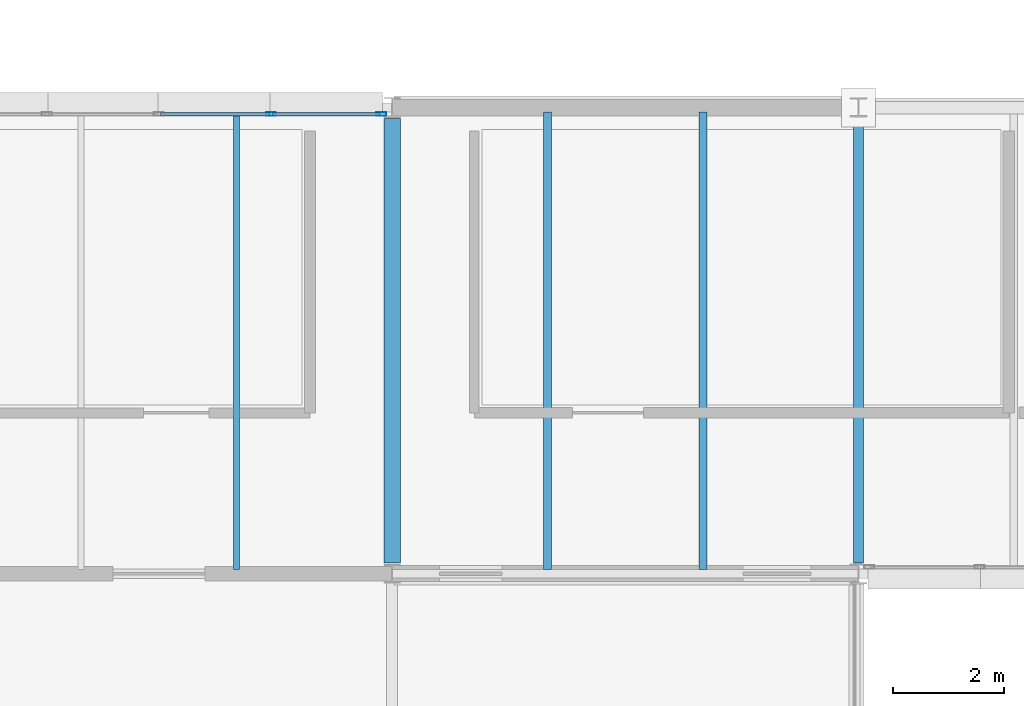
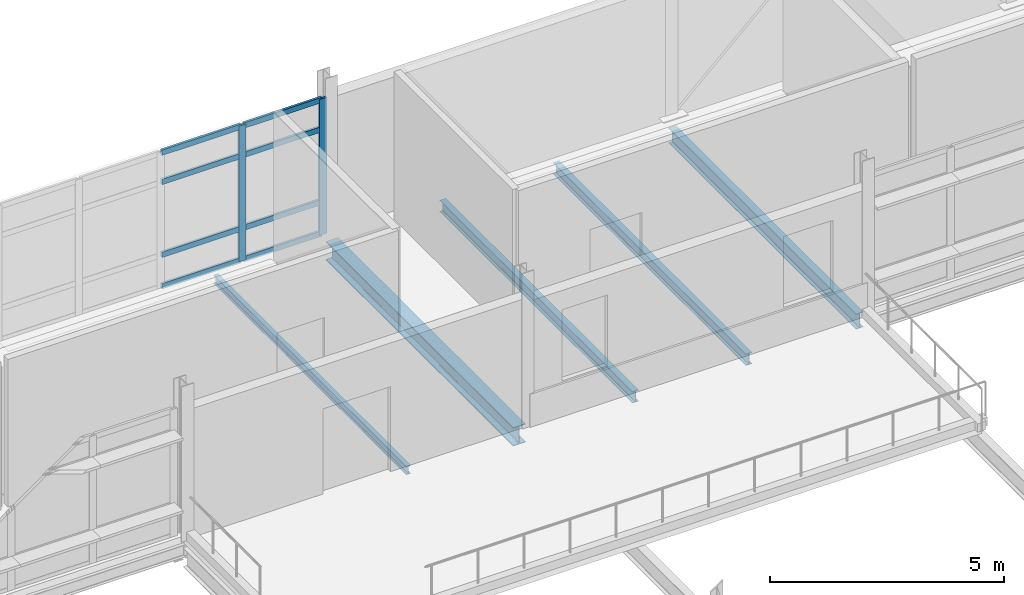
# One storey, part 31 of 57: 10 members, 5 beams, 1 element without a shape of its own.
"""IFC4 building model written with IfcOpenShell, lengths in metres."""

from ifc_helpers import new_model, si_unit, direction, frame, origin, origin_2d, place, context, subcontext, project, spatial, hollow_rectangle, i_section, extrude, material, material_profile, profile_set, type_object, element, aggregate, save


model = new_model("IFC4")

# Units and contexts
model_context = context("Model", 3, precision=1e-05, world=origin(), true_north=direction((0.0, 1.0)))
body_context = subcontext(model_context, "Body", "Model", "MODEL_VIEW")
ifc_project = project(units=[si_unit("LENGTHUNIT", "METRE"), si_unit("AREAUNIT", "SQUARE_METRE"), si_unit("VOLUMEUNIT", "CUBIC_METRE"), si_unit("PLANEANGLEUNIT", "RADIAN"), si_unit("MASSUNIT", "GRAM", prefix="KILO")], contexts=[model_context])

# Site, building, storey
site_placement = place(None, origin())
site = spatial("IfcSite", under=ifc_project, at=site_placement, CompositionType="ELEMENT")
building_placement = place(site_placement, origin())
building = spatial("IfcBuilding", under=site, at=building_placement, Name="Mersafa Astral City Hall", CompositionType="ELEMENT")
storey_placement = place(building_placement, frame((0.0, 0.0, 26.10009765625)))
storey = spatial("IfcBuildingStorey", under=building, at=storey_placement, Name="L06", CompositionType="ELEMENT", Elevation=26.10009765625)

# Curtain wall, members
ifc_material_1 = material(Name="Anodised bronze aluminium framing", Category="aluminium")
curtain_wall_type = type_object("IfcCurtainWallType", Name="ENV-CW-6", PredefinedType="USERDEFINED", material=ifc_material_1)
curtain_wall_placement = place(storey_placement, origin())
curtain_wall = element("IfcCurtainWall", 1, at=curtain_wall_placement, inside=storey, type_object=curtain_wall_type, Name="L06 Unitised solar curtain wall 257", ObjectType="UNITISED CURTAIN WALL", PredefinedType="USERDEFINED")
ifc_material_profile_1 = material_profile(ifc_material_1, hollow_rectangle(XDim=0.06005859375, YDim=0.179931640625, WallThickness=0.00390625, at=origin_2d()), Name="RHS 60x180x4")
ifc_profile_set_1 = profile_set([ifc_material_profile_1], Name="Anodised bronze aluminium framing")
member_type_1 = type_object("IfcMemberType", Name="ENV-CW-MUL-1", PredefinedType="MULLION", material=ifc_profile_set_1)
member_1_placement = place(storey_placement, frame((125.80810546875, 125.8798828125, -0.002197265625), z_axis=(0.0, 0.0, 1.0), x_axis=(0.0, -1.0, 0.0)))
member_1 = element("IfcMember", 2, at=member_1_placement, type_object=member_type_1, Name="CW-6 mullion 1", PredefinedType="MULLION", context=body_context, shape_type="SweptSolid", body=[
    extrude(hollow_rectangle(XDim=0.06005859375, YDim=0.179931640625, WallThickness=0.00390625, at=origin_2d()), origin(), (0.0, 0.0, 1.0), 3.544189453125),
])
member_2_placement = place(storey_placement, frame((123.819091796875, 125.8798828125, -0.002197265625), z_axis=(0.0, 0.0, 1.0), x_axis=(0.0, -1.0, 0.0)))
member_2 = element("IfcMember", 3, at=member_2_placement, type_object=member_type_1, Name="CW-6 mullion 2", PredefinedType="MULLION", context=body_context, shape_type="SweptSolid", body=[
    extrude(hollow_rectangle(XDim=0.06005859375, YDim=0.179931640625, WallThickness=0.00390625, at=origin_2d()), origin(), (0.0, 0.0, 1.0), 3.544189453125),
])
ifc_material_profile_2 = material_profile(ifc_material_1, hollow_rectangle(XDim=0.06005859375, YDim=0.139892578125, WallThickness=0.00390625, at=origin_2d()), Name="RHS 60x140x4")
ifc_profile_set_2 = profile_set([ifc_material_profile_2], Name="Anodised bronze aluminium framing")
member_type_2 = type_object("IfcMemberType", Name="ENV-CW-TRN-1", PredefinedType="USERDEFINED", material=ifc_profile_set_2)
member_3_placement = place(storey_placement, frame((125.778076171875, 125.8798828125, 0.02783203125), z_axis=(-1.0, 0.0, 0.0), x_axis=(0.0, -1.0, 0.0)))
member_3 = element("IfcMember", 4, at=member_3_placement, type_object=member_type_2, Name="CW-6 transom 1.1", ObjectType="TRANSOM", PredefinedType="USERDEFINED", context=body_context, shape_type="SweptSolid", body=[
    extrude(hollow_rectangle(XDim=0.06005859375, YDim=0.139892578125, WallThickness=0.00390625, at=origin_2d()), origin(), (0.0, 0.0, 1.0), 1.928955078125),
])
member_4_placement = place(storey_placement, frame((125.778076171875, 125.8798828125, 0.849853515625), z_axis=(-1.0, 0.0, 0.0), x_axis=(0.0, -1.0, 0.0)))
member_4 = element("IfcMember", 5, at=member_4_placement, type_object=member_type_2, Name="CW-6 transom 1.2", ObjectType="TRANSOM", PredefinedType="USERDEFINED", context=body_context, shape_type="SweptSolid", body=[
    extrude(hollow_rectangle(XDim=0.06005859375, YDim=0.139892578125, WallThickness=0.00390625, at=origin_2d()), origin(), (0.0, 0.0, 1.0), 1.928955078125),
])
member_5_placement = place(storey_placement, frame((125.778076171875, 125.8798828125, 2.75), z_axis=(-1.0, 0.0, 0.0), x_axis=(0.0, -1.0, 0.0)))
member_5 = element("IfcMember", 6, at=member_5_placement, type_object=member_type_2, Name="CW-6 transom 1.3", ObjectType="TRANSOM", PredefinedType="USERDEFINED", context=body_context, shape_type="SweptSolid", body=[
    extrude(hollow_rectangle(XDim=0.06005859375, YDim=0.139892578125, WallThickness=0.00390625, at=origin_2d()), origin(), (0.0, 0.0, 1.0), 1.928955078125),
])
member_6_placement = place(storey_placement, frame((125.778076171875, 125.8798828125, 3.511962890625), z_axis=(-1.0, 0.0, 0.0), x_axis=(0.0, -1.0, 0.0)))
member_6 = element("IfcMember", 7, at=member_6_placement, type_object=member_type_2, Name="CW-6 transom 1.4", ObjectType="TRANSOM", PredefinedType="USERDEFINED", context=body_context, shape_type="SweptSolid", body=[
    extrude(hollow_rectangle(XDim=0.06005859375, YDim=0.139892578125, WallThickness=0.00390625, at=origin_2d()), origin(), (0.0, 0.0, 1.0), 1.928955078125),
])
member_7_placement = place(storey_placement, frame((123.7890625, 125.8798828125, 0.02783203125), z_axis=(-1.0, 0.0, 0.0), x_axis=(0.0, -1.0, 0.0)))
member_7 = element("IfcMember", 8, at=member_7_placement, type_object=member_type_2, Name="CW-6 transom 2.1", ObjectType="TRANSOM", PredefinedType="USERDEFINED", context=body_context, shape_type="SweptSolid", body=[
    extrude(hollow_rectangle(XDim=0.06005859375, YDim=0.139892578125, WallThickness=0.00390625, at=origin_2d()), origin(), (0.0, 0.0, 1.0), 1.958984375),
])
member_8_placement = place(storey_placement, frame((123.7890625, 125.8798828125, 0.849853515625), z_axis=(-1.0, 0.0, 0.0), x_axis=(0.0, -1.0, 0.0)))
member_8 = element("IfcMember", 9, at=member_8_placement, type_object=member_type_2, Name="CW-6 transom 2.2", ObjectType="TRANSOM", PredefinedType="USERDEFINED", context=body_context, shape_type="SweptSolid", body=[
    extrude(hollow_rectangle(XDim=0.06005859375, YDim=0.139892578125, WallThickness=0.00390625, at=origin_2d()), origin(), (0.0, 0.0, 1.0), 1.958984375),
])
member_9_placement = place(storey_placement, frame((123.7890625, 125.8798828125, 2.75), z_axis=(-1.0, 0.0, 0.0), x_axis=(0.0, -1.0, 0.0)))
member_9 = element("IfcMember", 10, at=member_9_placement, type_object=member_type_2, Name="CW-6 transom 2.3", ObjectType="TRANSOM", PredefinedType="USERDEFINED", context=body_context, shape_type="SweptSolid", body=[
    extrude(hollow_rectangle(XDim=0.06005859375, YDim=0.139892578125, WallThickness=0.00390625, at=origin_2d()), origin(), (0.0, 0.0, 1.0), 1.958984375),
])
member_10_placement = place(storey_placement, frame((123.7890625, 125.8798828125, 3.511962890625), z_axis=(-1.0, 0.0, 0.0), x_axis=(0.0, -1.0, 0.0)))
member_10 = element("IfcMember", 11, at=member_10_placement, type_object=member_type_2, Name="CW-6 transom 2.4", ObjectType="TRANSOM", PredefinedType="USERDEFINED", context=body_context, shape_type="SweptSolid", body=[
    extrude(hollow_rectangle(XDim=0.06005859375, YDim=0.139892578125, WallThickness=0.00390625, at=origin_2d()), origin(), (0.0, 0.0, 1.0), 1.958984375),
])
aggregate(curtain_wall, [member_1, member_2, member_3, member_4, member_5, member_6, member_7, member_8, member_9, member_10])

# Beams
ifc_material_2 = material(Name="Steel S355", Category="steel")
ifc_material_profile_3 = material_profile(ifc_material_2, i_section(OverallWidth=0.300048828125, OverallDepth=0.489990234375, WebThickness=0.011962890625, FlangeThickness=0.02294921875, FilletRadius=0.027099609375, at=origin_2d()), Name="HEA 500")
ifc_profile_set_3 = profile_set([ifc_material_profile_3], Name="Steel S355")
beam_type_1 = type_object("IfcBeamType", Name="STR-BM-HEA500", PredefinedType="BEAM", material=ifc_profile_set_3)
beam_1_placement = place(storey_placement, frame((126.0, 117.794921875, -0.420166015625), z_axis=(0.0, 1.0, 0.0), x_axis=(-1.0, 0.0, 0.0)))
element("IfcBeam", 12, at=beam_1_placement, inside=storey, type_object=beam_type_1, Name="L06 Primary girder Y 15-14", PredefinedType="BEAM", context=body_context, shape_type="SweptSolid", body=[
    extrude(i_section(OverallWidth=0.300048828125, OverallDepth=0.489990234375, WebThickness=0.011962890625, FlangeThickness=0.02294921875, FilletRadius=0.027099609375, at=origin_2d()), origin(), (0.0, 0.0, 1.0), 8.010009765625),
])
ifc_material_profile_4 = material_profile(ifc_material_2, i_section(OverallWidth=0.179931640625, OverallDepth=0.39990234375, WebThickness=0.008544921875, FlangeThickness=0.013427734375, FilletRadius=0.02099609375, at=origin_2d()), Name="IPE 400")
ifc_profile_set_4 = profile_set([ifc_material_profile_4], Name="Steel S355")
beam_type_2 = type_object("IfcBeamType", Name="STR-BM-IPE400", PredefinedType="BEAM", material=ifc_profile_set_4)
beam_2_placement = place(storey_placement, frame((134.39990234375, 117.794921875, -0.375), z_axis=(0.0, 1.0, 0.0), x_axis=(-1.0, 0.0, 0.0)))
element("IfcBeam", 13, at=beam_2_placement, inside=storey, type_object=beam_type_2, Name="L06 Primary girder Y 16-14", PredefinedType="BEAM", context=body_context, shape_type="SweptSolid", body=[
    extrude(i_section(OverallWidth=0.179931640625, OverallDepth=0.39990234375, WebThickness=0.008544921875, FlangeThickness=0.013427734375, FilletRadius=0.02099609375, at=origin_2d()), origin(), (0.0, 0.0, 1.0), 8.010009765625),
])
ifc_material_profile_5 = material_profile(ifc_material_2, i_section(OverallWidth=0.110107421875, OverallDepth=0.219970703125, WebThickness=0.005859375, FlangeThickness=0.00927734375, FilletRadius=0.011962890625, at=origin_2d()), Name="IPE 220")
ifc_profile_set_5 = profile_set([ifc_material_profile_5], Name="Steel S355")
beam_type_3 = type_object("IfcBeamType", Name="STR-BM-JOIST-IPE220", PredefinedType="JOIST", material=ifc_profile_set_5)
beam_3_placement = place(storey_placement, frame((123.199951171875, 117.679931640625, -0.28515625), z_axis=(0.0, 1.0, 0.0), x_axis=(-1.0, 0.0, 0.0)))
element("IfcBeam", 14, at=beam_3_placement, inside=storey, type_object=beam_type_3, Name="L06 Composite secondary floor joist 861", PredefinedType="JOIST", context=body_context, shape_type="SweptSolid", body=[
    extrude(i_section(OverallWidth=0.110107421875, OverallDepth=0.219970703125, WebThickness=0.005859375, FlangeThickness=0.00927734375, FilletRadius=0.011962890625, at=origin_2d()), origin(), (0.0, 0.0, 1.0), 8.2451171875),
])
ifc_material_profile_6 = material_profile(ifc_material_2, i_section(OverallWidth=0.14990234375, OverallDepth=0.300048828125, WebThickness=0.007080078125, FlangeThickness=0.0107421875, FilletRadius=0.014892578125, at=origin_2d()), Name="IPE 300")
ifc_profile_set_6 = profile_set([ifc_material_profile_6], Name="Steel S355")
beam_type_4 = type_object("IfcBeamType", Name="STR-BM-JOIST-IPE300", PredefinedType="JOIST", material=ifc_profile_set_6)
for number, where, z_axis, x_axis, name in (
    (15, (128.800048828125, 117.675048828125, -0.3251953125), (0.0, 1.0, 0.0), (-1.0, 0.0, 0.0), "L06 Composite secondary floor joist 862"),
    (16, (131.60009765625, 117.675048828125, -0.3251953125), (0.0, 1.0, 0.0), (-1.0, 0.0, 0.0), "L06 Composite secondary floor joist 863"),
):
    element("IfcBeam", number, at=place(storey_placement, frame(where, z_axis=z_axis, x_axis=x_axis)), inside=storey, type_object=beam_type_4, Name=name, PredefinedType="JOIST", context=body_context, shape_type="SweptSolid", body=[
        extrude(i_section(OverallWidth=0.14990234375, OverallDepth=0.300048828125, WebThickness=0.007080078125, FlangeThickness=0.0107421875, FilletRadius=0.014892578125, at=origin_2d()), origin(), (0.0, 0.0, 1.0), 8.244873046875),
    ])

save(model, "model.ifc")
